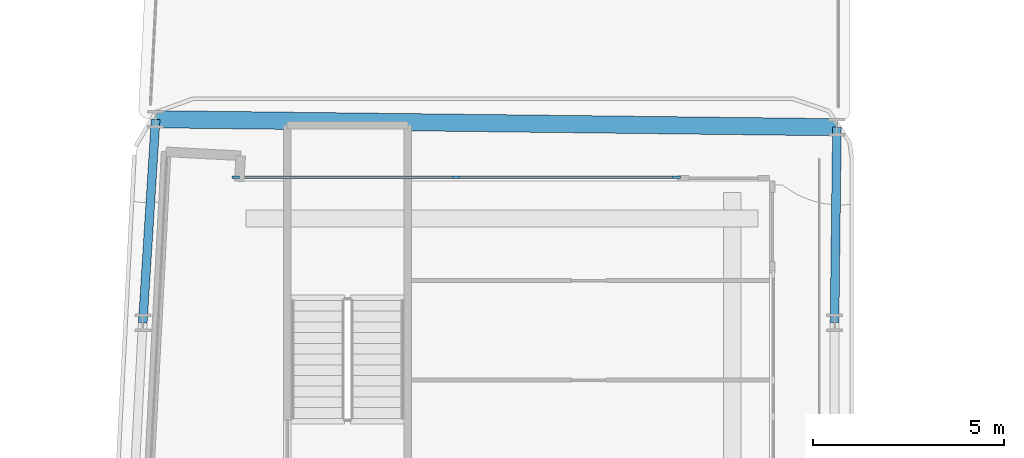
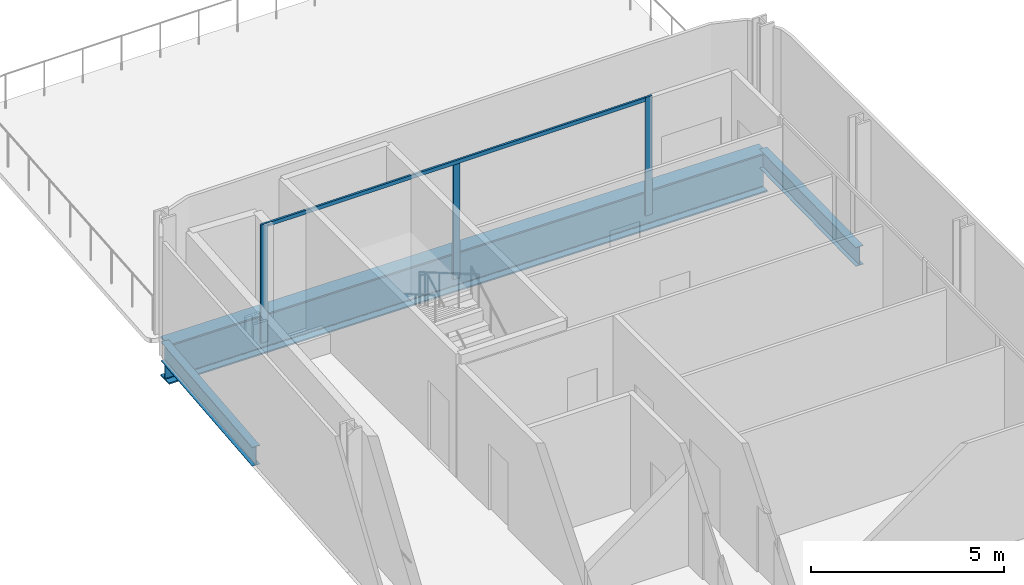
# One storey, part 9 of 28: 4 members, 3 beams, 1 element without a shape of its own.
"""IFC4 building model written with IfcOpenShell, lengths in metres."""

from ifc_helpers import new_model, si_unit, direction, frame, origin, origin_2d, place, context, subcontext, project, spatial, rectangle, i_section, extrude, material, layer, layer_set, material_profile, profile_set, type_object, element, aggregate, save


model = new_model("IFC4")

# Units and contexts
model_context = context("Model", 3, precision=1e-05, world=origin(), true_north=direction((0.0, 1.0)))
body_context = subcontext(model_context, "Body", "Model", "MODEL_VIEW")
ifc_project = project(units=[si_unit("LENGTHUNIT", "METRE"), si_unit("AREAUNIT", "SQUARE_METRE"), si_unit("VOLUMEUNIT", "CUBIC_METRE"), si_unit("PLANEANGLEUNIT", "RADIAN"), si_unit("MASSUNIT", "GRAM", prefix="KILO")], contexts=[model_context])

# Site, building, storey
site_placement = place(None, origin())
site = spatial("IfcSite", under=ifc_project, at=site_placement, CompositionType="ELEMENT")
building_placement = place(site_placement, origin())
building = spatial("IfcBuilding", under=site, at=building_placement, Name="Kheshtan School and Residences Tower", CompositionType="ELEMENT")
storey_placement = place(building_placement, frame((0.0, 0.0, 94.10009765625)))
storey = spatial("IfcBuildingStorey", under=building, at=storey_placement, Name="L21", CompositionType="ELEMENT", Elevation=94.10009765625)

# Beams
ifc_material_1 = material(Name="Steel ASTM A992 Grade 50", Category="steel")
ifc_material_profile_1 = material_profile(ifc_material_1, i_section(OverallWidth=0.22802734375, OverallDepth=0.60302734375, WebThickness=0.010498046875, FlangeThickness=0.014892578125, FilletRadius=0.013427734375, at=origin_2d()), Name="W610x101")
ifc_profile_set_1 = profile_set([ifc_material_profile_1], Name="Steel ASTM A992 Grade 50")
beam_type_1 = type_object("IfcBeamType", Name="Beam SP2 W610x101 ASTM A992 Grade 50", PredefinedType="BEAM", material=ifc_profile_set_1)
beam_1_placement = place(storey_placement, frame((47.660888671875, 88.506103515625, -0.45166015625), z_axis=(-0.011904487479, -0.999929139078, 0.0), x_axis=(0.999929139078, -0.011904487479, 0.0)))
element("IfcBeam", 1, at=beam_1_placement, inside=storey, type_object=beam_type_1, Name="Spandrel beam C092-C091", PredefinedType="BEAM", context=body_context, shape_type="SweptSolid", body=[
    extrude(i_section(OverallWidth=0.22802734375, OverallDepth=0.60302734375, WebThickness=0.010498046875, FlangeThickness=0.014892578125, FilletRadius=0.013427734375, at=origin_2d()), origin(), (0.0, 0.0, 1.0), 5.1064453125),
])
beam_2_placement = place(storey_placement, frame((29.527099609375, 83.39990234375, -0.45166015625), z_axis=(0.063077482832, 0.998008632808, 0.0), x_axis=(-0.998008632808, 0.063077482832, 0.0)))
element("IfcBeam", 2, at=beam_2_placement, inside=storey, type_object=beam_type_1, Name="Spandrel beam C090-C097", PredefinedType="BEAM", context=body_context, shape_type="SweptSolid", body=[
    extrude(i_section(OverallWidth=0.22802734375, OverallDepth=0.60302734375, WebThickness=0.010498046875, FlangeThickness=0.014892578125, FilletRadius=0.013427734375, at=origin_2d()), origin(), (0.0, 0.0, 1.0), 5.32568359375),
])

# Curtain wall, members
ifc_material_2 = material(Name="Clear low-e glass in thermally broken aluminium frame", Category="aluminium")
ifc_layer = layer(ifc_material_2, 0.199951171875)
ifc_layer_set = layer_set([ifc_layer], Name="Curtain wall CW-L")
curtain_wall_type = type_object("IfcCurtainWallType", Name="Curtain wall CW-L", PredefinedType="NOTDEFINED", material=ifc_layer_set)
curtain_wall_placement = place(storey_placement, origin())
curtain_wall = element("IfcCurtainWall", 3, at=curtain_wall_placement, inside=storey, type_object=curtain_wall_type, Name="Curtain wall CWL3", PredefinedType="NOTDEFINED")
ifc_material_3 = material(Name="Thermally broken aluminium, dark bronze anodised", Category="aluminium")
ifc_material_profile_2 = material_profile(ifc_material_3, rectangle(XDim=0.06005859375, YDim=0.199951171875, at=origin_2d()), Name="CW-L mullion 60x200")
ifc_profile_set_2 = profile_set([ifc_material_profile_2], Name="Thermally broken aluminium, dark bronze anodised")
member_type_1 = type_object("IfcMemberType", Name="CW-L mullion 60x200", PredefinedType="MULLION", material=ifc_profile_set_2)
member_1_placement = place(storey_placement, frame((31.9541015625, 87.199951171875, 0.0), z_axis=(0.0, 0.0, 1.0), x_axis=(0.0, 1.0, 0.0)))
member_1 = element("IfcMember", 4, at=member_1_placement, type_object=member_type_1, Name="CWL3 mullion 1", PredefinedType="MULLION", context=body_context, shape_type="SweptSolid", body=[
    extrude(rectangle(XDim=0.06005859375, YDim=0.199951171875, at=origin_2d()), origin(), (0.0, 0.0, 1.0), 3.75),
])
member_2_placement = place(storey_placement, frame((37.7119140625, 87.199951171875, 0.0), z_axis=(0.0, 0.0, 1.0), x_axis=(0.0, 1.0, 0.0)))
member_2 = element("IfcMember", 5, at=member_2_placement, type_object=member_type_1, Name="CWL3 mullion 2", PredefinedType="MULLION", context=body_context, shape_type="SweptSolid", body=[
    extrude(rectangle(XDim=0.06005859375, YDim=0.199951171875, at=origin_2d()), origin(), (0.0, 0.0, 1.0), 3.6298828125),
])
member_3_placement = place(storey_placement, frame((43.469970703125, 87.199951171875, 0.0), z_axis=(0.0, 0.0, 1.0), x_axis=(0.0, 1.0, 0.0)))
member_3 = element("IfcMember", 6, at=member_3_placement, type_object=member_type_1, Name="CWL3 mullion 3", PredefinedType="MULLION", context=body_context, shape_type="SweptSolid", body=[
    extrude(rectangle(XDim=0.06005859375, YDim=0.199951171875, at=origin_2d()), origin(), (0.0, 0.0, 1.0), 3.75),
])
ifc_material_profile_3 = material_profile(ifc_material_3, rectangle(XDim=0.06005859375, YDim=0.1201171875, at=origin_2d()), Name="CW-L transom 60x120")
ifc_profile_set_3 = profile_set([ifc_material_profile_3], Name="Thermally broken aluminium, dark bronze anodised")
member_type_2 = type_object("IfcMemberType", Name="CW-L transom 60x120", PredefinedType="USERDEFINED", material=ifc_profile_set_3)
member_4_placement = place(storey_placement, frame((31.98388671875, 87.199951171875, 3.68994140625), z_axis=(1.0, 0.0, 0.0), x_axis=(0.0, 1.0, 0.0)))
member_4 = element("IfcMember", 7, at=member_4_placement, type_object=member_type_2, Name="CWL3 transom 1", ObjectType="TRANSOM", PredefinedType="USERDEFINED", context=body_context, shape_type="SweptSolid", body=[
    extrude(rectangle(XDim=0.06005859375, YDim=0.1201171875, at=origin_2d()), origin(), (0.0, 0.0, 1.0), 11.4560546875),
])
aggregate(curtain_wall, [member_1, member_2, member_3, member_4])

# Beam
ifc_material_profile_4 = material_profile(ifc_material_1, i_section(OverallWidth=0.449951171875, OverallDepth=1.25, WebThickness=0.02490234375, FlangeThickness=0.044921875, FilletRadius=0.03759765625, at=origin_2d()), Name="WWF1250x546")
ifc_profile_set_4 = profile_set([ifc_material_profile_4], Name="Steel ASTM A992 Grade 50")
beam_type_2 = type_object("IfcBeamType", Name="Transfer girder TG4 WWF1250x546 ASTM A992 Grade 50", PredefinedType="BEAM", material=ifc_profile_set_4)
beam_3_placement = place(storey_placement, frame((29.863037109375, 88.715087890625, -0.775146484375), z_axis=(0.999931068525, -0.011741303082, 0.0), x_axis=(0.011741303082, 0.999931068525, 0.0)))
element("IfcBeam", 8, at=beam_3_placement, inside=storey, type_object=beam_type_2, Name="Transfer girder C097-C092", PredefinedType="BEAM", context=body_context, shape_type="SweptSolid", body=[
    extrude(i_section(OverallWidth=0.449951171875, OverallDepth=1.25, WebThickness=0.02490234375, FlangeThickness=0.044921875, FilletRadius=0.03759765625, at=origin_2d()), origin(), (0.0, 0.0, 1.0), 17.799072265625),
])

save(model, "model.ifc")
